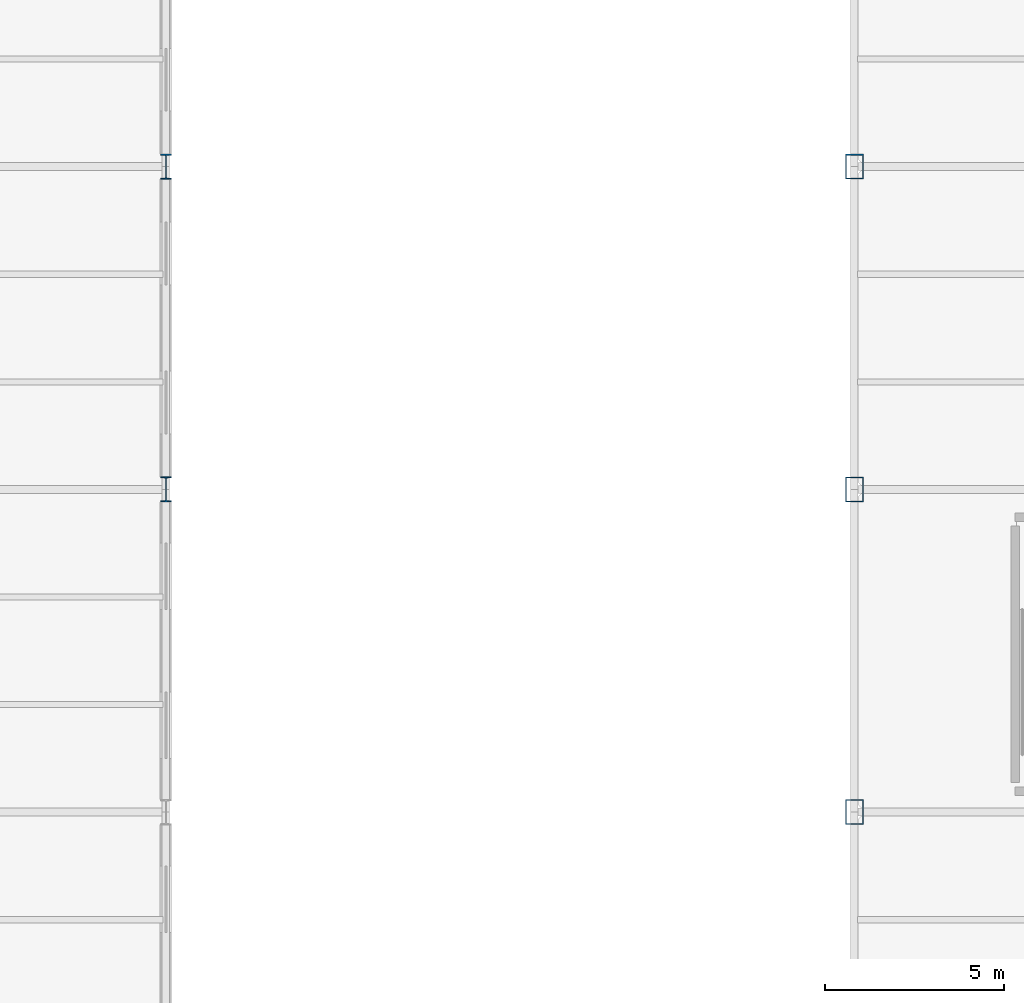
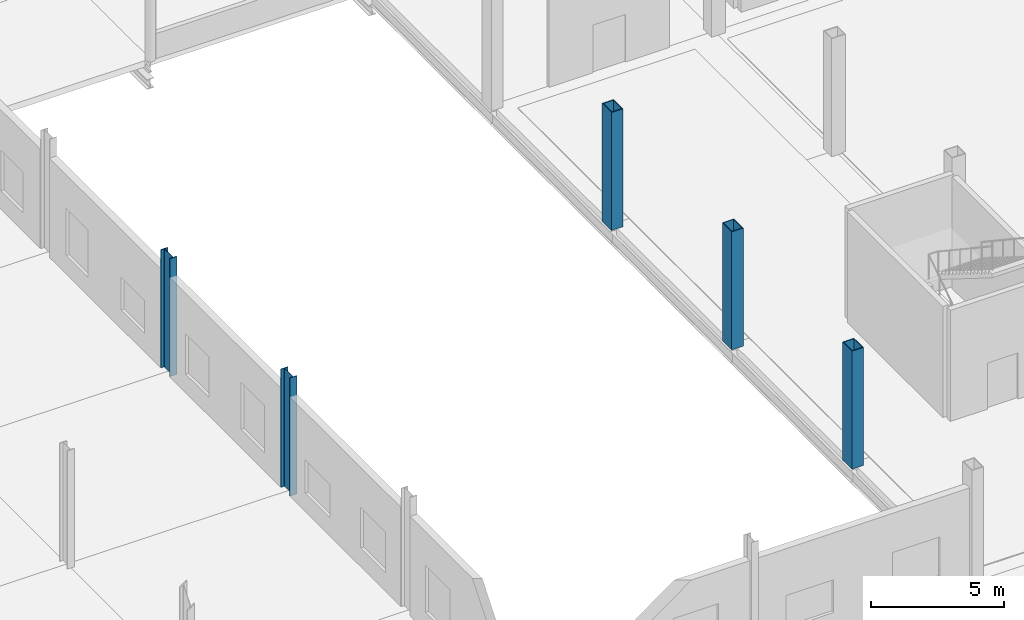
# One storey, part 4 of 85: 5 columns.
"""IFC4 building model written with IfcOpenShell, lengths in metres."""

import ifcopenshell
import ifcopenshell.guid

model = None  # the IFC model being written
_history = None  # IfcOwnerHistory: only IFC2X3 demands one
_inside = {}  # id of a spatial element -> (the spatial element, [elements in it])
_under = {}  # id of a project, library or spatial element -> (it, [spatial elements below it])
_declared = {}  # id of a project -> (the project, [libraries it declares])
_typed = {}  # id of a type object -> (the type object, [elements of that type])
_made_of = {}  # id of a material, layer set ... -> (it, [elements and type objects made of it])


def new_model(schema):
    """Start an empty IFC model of exactly this schema.

    Asked for "IFC4X3", IfcOpenShell would pick the latest addendum, in which some entities
    have other attributes; the version numbers below select the first issue.
    IFC2X3 requires an IfcOwnerHistory on every rooted entity: one is made here for all.
    """
    global model, _history
    if schema == "IFC4X3":
        model = ifcopenshell.file(schema_version=(4, 3, 0, 0))
    else:
        model = ifcopenshell.file(schema=schema)
    _inside.clear()
    _under.clear()
    _declared.clear()
    _typed.clear()
    _made_of.clear()
    _history = None
    if model.schema == "IFC2X3":
        org = make("IfcOrganization", Name="unknown")
        user = make(
            "IfcPersonAndOrganization",
            ThePerson=make("IfcPerson", FamilyName="unknown"),
            TheOrganization=org,
        )
        app = make(
            "IfcApplication",
            ApplicationDeveloper=org,
            Version="unknown",
            ApplicationFullName="unknown",
            ApplicationIdentifier="unknown",
        )
        _history = make(
            "IfcOwnerHistory",
            OwningUser=user,
            OwningApplication=app,
            ChangeAction="ADDED",
            CreationDate=0,
        )
    return model


def make(cls, **values):
    """One entity of the class cls with the attributes given. An attribute that is None is left unset."""
    return model.create_entity(
        cls, **{name: value for name, value in values.items() if value is not None}
    )


def rooted(cls, **values):
    """An entity with a GlobalId (a new one), such as an element, a storey or a relation."""
    return make(cls, GlobalId=ifcopenshell.guid.new(), OwnerHistory=_history, **values)


def si_unit(unit_type, name, prefix=None):
    """IfcSIUnit, for example si_unit("LENGTHUNIT", "METRE", prefix="MILLI")."""
    return make("IfcSIUnit", UnitType=unit_type, Prefix=prefix, Name=name)


def assignment(units):
    """IfcUnitAssignment: the units of a project."""
    return None if units is None else make("IfcUnitAssignment", Units=units)


def point(xyz):
    """IfcCartesianPoint."""
    return None if xyz is None else make("IfcCartesianPoint", Coordinates=xyz)


def direction(xyz):
    """IfcDirection."""
    return None if xyz is None else make("IfcDirection", DirectionRatios=xyz)


def frame(location, z_axis=None, x_axis=None):
    """IfcAxis2Placement3D, a coordinate frame: its origin and axes. An axis left out is left unset."""
    return make(
        "IfcAxis2Placement3D",
        Location=point(location),
        Axis=direction(z_axis),
        RefDirection=direction(x_axis),
    )


def frame_2d(location, x_axis=None):
    """IfcAxis2Placement2D, a coordinate frame in the plane: its origin and x axis."""
    return make(
        "IfcAxis2Placement2D", Location=point(location), RefDirection=direction(x_axis)
    )


def origin():
    """The frame at (0, 0, 0) with its axes left unset."""
    return frame((0.0, 0.0, 0.0))


def origin_2d():
    """The frame at (0, 0) in the plane with its x axis left unset."""
    return frame_2d((0.0, 0.0))


def place(relative_to, where):
    """IfcLocalPlacement: puts the frame where relative to a parent placement (None: the world)."""
    return make(
        "IfcLocalPlacement", PlacementRelTo=relative_to, RelativePlacement=where
    )


def context(
    kind, dimensions, precision=None, world=None, true_north=None, identifier=None
):
    """IfcGeometricRepresentationContext, for example the 3D "Model" context."""
    return make(
        "IfcGeometricRepresentationContext",
        ContextIdentifier=identifier,
        ContextType=kind,
        CoordinateSpaceDimension=dimensions,
        Precision=precision,
        WorldCoordinateSystem=world,
        TrueNorth=true_north,
    )


def subcontext(parent, identifier, kind, view, scale=None):
    """IfcGeometricRepresentationSubContext, for example "Body" below "Model"."""
    return make(
        "IfcGeometricRepresentationSubContext",
        ContextIdentifier=identifier,
        ContextType=kind,
        ParentContext=parent,
        TargetScale=scale,
        TargetView=view,
    )


def project(units=None, contexts=None):
    """IfcProject with its units and contexts."""
    return rooted(
        "IfcProject",
        Name="project",
        RepresentationContexts=contexts,
        UnitsInContext=assignment(units),
    )


def spatial(cls, under=None, at=None, **own):
    """A site, building, storey or space (cls), placed at a placement, below another one or the project."""
    s = rooted(cls, ObjectPlacement=at, **own)
    if under is not None:
        _under.setdefault(under.id(), (under, []))[1].append(s)
    return s


def profile(cls, at=None, kind="AREA", **sizes):
    """A parametric profile (cls). Its sizes go by their IFC names, for example OverallWidth=200.0."""
    return make(cls, ProfileType=kind, Position=at, **sizes)


def hollow_rectangle(**sizes):
    """IfcRectangleHollowProfileDef."""
    return profile("IfcRectangleHollowProfileDef", **sizes)


def i_section(**sizes):
    """IfcIShapeProfileDef."""
    return profile("IfcIShapeProfileDef", **sizes)


def extrude(swept, where, along, depth):
    """IfcExtrudedAreaSolid: the profile swept, set in the frame where, extruded along a direction by depth."""
    return make(
        "IfcExtrudedAreaSolid",
        SweptArea=swept,
        Position=where,
        ExtrudedDirection=direction(along),
        Depth=depth,
    )


def shape(context_of_items, identifier, shape_type, items):
    """IfcShapeRepresentation: the items that make up one representation, for example the "Body"."""
    return make(
        "IfcShapeRepresentation",
        ContextOfItems=context_of_items,
        RepresentationIdentifier=identifier,
        RepresentationType=shape_type,
        Items=items,
    )


def material(Name=None, Category=None):
    """IfcMaterial."""
    return make("IfcMaterial", Name=Name, Category=Category)


def material_profile(
    of_material, cross_section, Name=None, Category=None, Priority=None
):
    """IfcMaterialProfile: a cross section and its material."""
    return make(
        "IfcMaterialProfile",
        Name=Name,
        Material=of_material,
        Profile=cross_section,
        Priority=Priority,
        Category=Category,
    )


def profile_set(profiles, Name=None, composite=None):
    """IfcMaterialProfileSet."""
    return make(
        "IfcMaterialProfileSet",
        Name=Name,
        MaterialProfiles=profiles,
        CompositeProfile=composite,
    )


def made_of(thing, what):
    """Note that an element or type object is made of a material, layer set ...; save() writes the relation."""
    if what is not None:
        _made_of.setdefault(what.id(), (what, []))[1].append(thing)
    return thing


def type_object(cls, material=None, **own):
    """A type object (cls), such as IfcWallType, which elements share."""
    return made_of(rooted(cls, **own), material)


def element(
    cls,
    number,
    at=None,
    inside=None,
    cuts=None,
    type_object=None,
    material=None,
    context=None,
    identifier="Body",
    shape_type=None,
    held_by="IfcProductDefinitionShape",
    body=None,
    shapes=None,
    **own,
):
    """One element of the class cls, such as IfcWall. Its Tag is "e" and its number.

    at: its placement. inside: the storey or other place that contains it. cuts: it is an
    opening in that element (IfcRelVoidsElement). A single representation is given by context,
    identifier, shape_type and body (its items); several are given by shapes. held_by: the class
    of the entity that holds the representations. save() writes the other relations.
    """
    e = rooted(cls, Tag="e%d" % number, ObjectPlacement=at, **own)
    if body is not None:
        shapes = [shape(context, identifier, shape_type, body)]
    if shapes is not None:
        e.Representation = make(held_by, Representations=shapes)
    if inside is not None:
        _inside.setdefault(inside.id(), (inside, []))[1].append(e)
    if cuts is not None:
        rooted(
            "IfcRelVoidsElement", RelatingBuildingElement=cuts, RelatedOpeningElement=e
        )
    if type_object is not None:
        _typed.setdefault(type_object.id(), (type_object, []))[1].append(e)
    return made_of(e, material)


def aggregate(whole, parts):
    """IfcRelAggregates: a whole, such as a stair, and the parts it consists of."""
    return rooted("IfcRelAggregates", RelatingObject=whole, RelatedObjects=parts)


def save(model, path):
    """Write the relations noted so far, then the file.

    IfcRelAggregates (storeys below a building ...), IfcRelContainedInSpatialStructure (elements
    in a storey), IfcRelDefinesByType, IfcRelAssociatesMaterial and IfcRelDeclares: one each for
    every whole, place, type object, material and project.
    """
    for whole, parts in _under.values():
        aggregate(whole, parts)
    for where, things in _inside.values():
        rooted(
            "IfcRelContainedInSpatialStructure",
            RelatedElements=things,
            RelatingStructure=where,
        )
    for kind, things in _typed.values():
        rooted("IfcRelDefinesByType", RelatedObjects=things, RelatingType=kind)
    for what, things in _made_of.values():
        rooted("IfcRelAssociatesMaterial", RelatedObjects=things, RelatingMaterial=what)
    for by, libraries in _declared.values():
        rooted("IfcRelDeclares", RelatingContext=by, RelatedDefinitions=libraries)
    model.write(path)


model = new_model("IFC4")

# Units and contexts
model_context = context("Model", 3, precision=1e-05, world=origin(), true_north=direction((0.0, 1.0)))
body_context = subcontext(model_context, "Body", "Model", "MODEL_VIEW")
ifc_project = project(units=[si_unit("LENGTHUNIT", "METRE"), si_unit("AREAUNIT", "SQUARE_METRE"), si_unit("VOLUMEUNIT", "CUBIC_METRE"), si_unit("PLANEANGLEUNIT", "RADIAN"), si_unit("MASSUNIT", "GRAM", prefix="KILO")], contexts=[model_context])

# Site, building, storey
site_placement = place(None, origin())
site = spatial("IfcSite", under=ifc_project, at=site_placement, CompositionType="ELEMENT")
building_placement = place(site_placement, origin())
building = spatial("IfcBuilding", under=site, at=building_placement, Name="Zarnetskaya Central Station", CompositionType="ELEMENT")
storey_placement = place(building_placement, origin())
storey = spatial("IfcBuildingStorey", under=building, at=storey_placement, Name="L00", CompositionType="ELEMENT", Elevation=0.0)

# Columns
ifc_material = material(Name="Steel S355", Category="steel")
ifc_material_profile_1 = material_profile(ifc_material, hollow_rectangle(XDim=0.5, YDim=0.699951171875, WallThickness=0.031982421875, at=origin_2d()), Name="BOX 700x500x32")
ifc_profile_set_1 = profile_set([ifc_material_profile_1], Name="Steel S355")
column_type_1 = type_object("IfcColumnType", Name="COL-V2-HALL", PredefinedType="COLUMN", material=ifc_profile_set_1)
for number, where, z_axis, x_axis, name in (
    (1, (57.60009765625, 31.199951171875, 0.0), (0.0, 0.0, 1.0), (1.0, 0.0, 0.0), "Column G5 L00"),
    (2, (57.60009765625, 40.199951171875, 0.0), (0.0, 0.0, 1.0), (1.0, 0.0, 0.0), "Column G6 L00"),
    (3, (57.60009765625, 49.199951171875, 0.0), (0.0, 0.0, 1.0), (1.0, 0.0, 0.0), "Column G7 L00"),
):
    element("IfcColumn", number, at=place(storey_placement, frame(where, z_axis=z_axis, x_axis=x_axis)), inside=storey, type_object=column_type_1, Name=name, PredefinedType="COLUMN", context=body_context, shape_type="SweptSolid", body=[
        extrude(hollow_rectangle(XDim=0.5, YDim=0.699951171875, WallThickness=0.031982421875, at=origin_2d()), origin(), (0.0, 0.0, 1.0), 5.39990234375),
    ])
ifc_material_profile_2 = material_profile(ifc_material, i_section(OverallWidth=0.300048828125, OverallDepth=0.699951171875, WebThickness=0.01708984375, FlangeThickness=0.031982421875, FilletRadius=0.027099609375, at=origin_2d()), Name="HEB 700")
ifc_profile_set_2 = profile_set([ifc_material_profile_2], Name="Steel S355")
column_type_2 = type_object("IfcColumnType", Name="COL-V5-LOW-E", PredefinedType="COLUMN", material=ifc_profile_set_2)
for number, where, z_axis, x_axis, name in (
    (4, (38.39990234375, 40.199951171875, 0.0), (0.0, 0.0, 1.0), (1.0, 0.0, 0.0), "Column E6 L00"),
    (5, (38.39990234375, 49.199951171875, 0.0), (0.0, 0.0, 1.0), (1.0, 0.0, 0.0), "Column E7 L00"),
):
    element("IfcColumn", number, at=place(storey_placement, frame(where, z_axis=z_axis, x_axis=x_axis)), inside=storey, type_object=column_type_2, Name=name, PredefinedType="COLUMN", context=body_context, shape_type="SweptSolid", body=[
        extrude(i_section(OverallWidth=0.300048828125, OverallDepth=0.699951171875, WebThickness=0.01708984375, FlangeThickness=0.031982421875, FilletRadius=0.027099609375, at=origin_2d()), origin(), (0.0, 0.0, 1.0), 5.39990234375),
    ])

save(model, "model.ifc")
